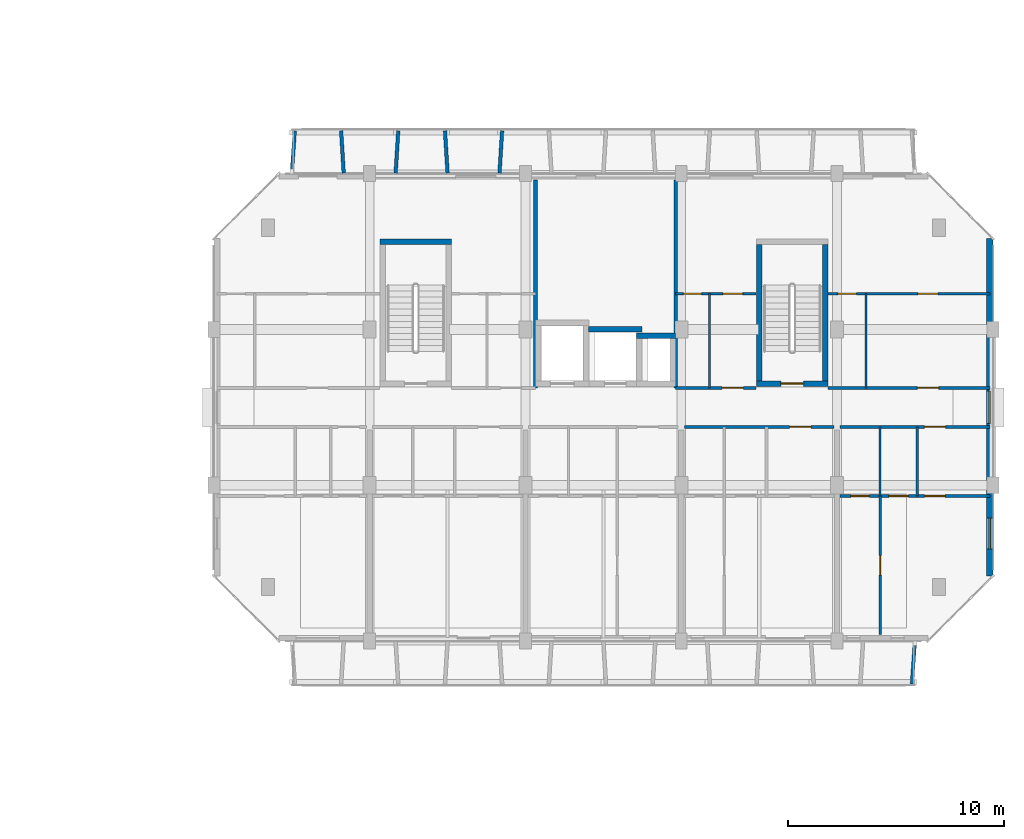
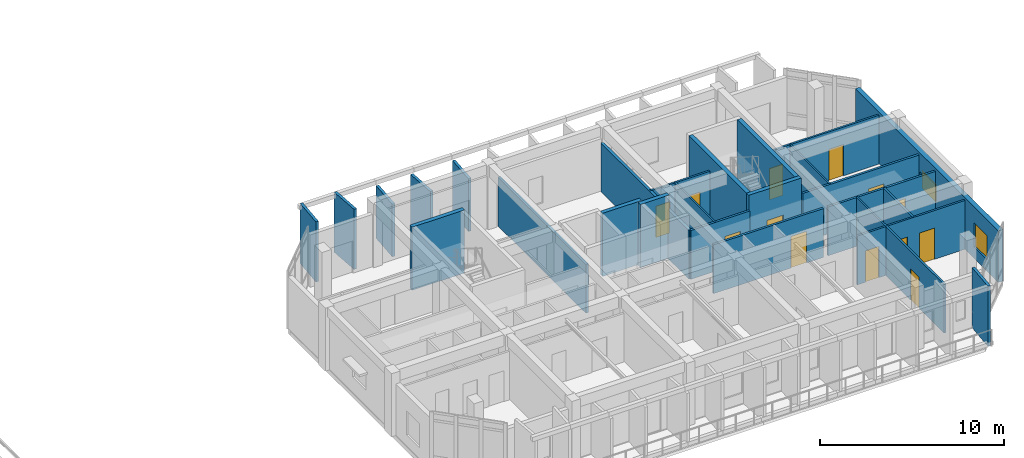
# One storey, part 58 of 85: 27 walls, 13 doors, 2 windows, 15 openings.
"""IFC4 building model written with IfcOpenShell, lengths in metres."""

from ifc_helpers import new_model, si_unit, direction, frame, frame_2d, origin, place, context, subcontext, project, spatial, rectangle, extrude, material, layer, layer_set, type_object, element, fill, save


model = new_model("IFC4")

# Units and contexts
model_context = context("Model", 3, precision=1e-05, world=origin(), true_north=direction((0.0, 1.0)))
body_context = subcontext(model_context, "Body", "Model", "MODEL_VIEW")
ifc_project = project(units=[si_unit("LENGTHUNIT", "METRE"), si_unit("AREAUNIT", "SQUARE_METRE"), si_unit("VOLUMEUNIT", "CUBIC_METRE"), si_unit("PLANEANGLEUNIT", "RADIAN"), si_unit("MASSUNIT", "GRAM", prefix="KILO")], contexts=[model_context])

# Site, building, storey
site_placement = place(None, origin())
site = spatial("IfcSite", under=ifc_project, at=site_placement, CompositionType="ELEMENT")
building_placement = place(site_placement, origin())
building = spatial("IfcBuilding", under=site, at=building_placement, Name="Ochrevale Crest", CompositionType="ELEMENT")
storey_placement = place(building_placement, frame((0.0, 0.0, 4.5)))
storey = spatial("IfcBuildingStorey", under=building, at=storey_placement, Name="L01", CompositionType="ELEMENT", Elevation=4.5)

# Wall, opening, door
ifc_material_1 = material(Name="Gypsum plasterboard", Category="gypsum")
ifc_layer_1 = layer(ifc_material_1, 0.139892578125)
ifc_layer_set_1 = layer_set([ifc_layer_1], Name="Gypsum plasterboard")
wall_type_1 = type_object("IfcWallType", Name="WL-COR-140", PredefinedType="PARTITIONING", material=ifc_layer_set_1)
wall_1_placement = place(storey_placement, frame((151.340087890625, 24.300048828125, 0.0), z_axis=(0.0, 0.0, 1.0), x_axis=(1.0, 0.0, 0.0)))
wall_1 = element("IfcWall", 1, at=wall_1_placement, inside=storey, type_object=wall_type_1, Name="Apartment C-L01-U4 corridor wall", PredefinedType="PARTITIONING", context=body_context, shape_type="SweptSolid", body=[
    extrude(rectangle(XDim=6.919921875, YDim=0.139892578125, at=frame_2d((3.4599609375, 0.0))), origin(), (0.0, 0.0, 1.0), 3.25),
])
opening_1_placement = place(wall_1_placement, frame((5.85009765625, 0.0, 0.0), z_axis=(0.0, 0.0, 1.0), x_axis=(-1.0, 0.0, 0.0)))
opening_1 = element("IfcOpeningElement", 2, at=opening_1_placement, cuts=wall_1, Name="Opening FD01", PredefinedType="OPENING", context=body_context, shape_type="SweptSolid", body=[
    extrude(rectangle(XDim=0.97998046875, YDim=2.10009765625, at=frame_2d((0.489990234375, 1.050048828125))), frame((0.0, 0.080078125, 0.0), z_axis=(0.0, -1.0, 0.0), x_axis=(1.0, 0.0, 0.0)), (0.0, 0.0, 1.0), 0.159912109375),
])
ifc_material_2 = material(Name="Solid-core FSC hardwood", Category="wood")
door_type_1 = type_object("IfcDoorType", Name="DR-APT-950", OperationType="NOTDEFINED", PredefinedType="DOOR", material=ifc_material_2)
door_1_placement = place(opening_1_placement, origin())
door_1 = element("IfcDoor", 3, at=door_1_placement, inside=storey, type_object=door_type_1, Name="Apartment C-L01-U4 entrance door", OperationType="SINGLE_SWING_RIGHT", OverallHeight=2.10009765625, OverallWidth=0.97998046875, PredefinedType="DOOR", context=body_context, shape_type="SweptSolid", body=[
    extrude(rectangle(XDim=0.97998046875, YDim=2.10009765625, at=frame_2d((0.489990234375, 1.050048828125))), frame((0.0, 0.02490234375, 0.0), z_axis=(0.0, -1.0, 0.0), x_axis=(1.0, 0.0, 0.0)), (0.0, 0.0, 1.0), 0.050048828125),
])
fill(opening_1, door_1)

wall_2_placement = place(storey_placement, frame((158.5400390625, 24.300048828125, 0.0), z_axis=(0.0, 0.0, 1.0), x_axis=(1.0, 0.0, 0.0)))
wall_2 = element("IfcWall", 4, at=wall_2_placement, inside=storey, type_object=wall_type_1, Name="Apartment C-L01-U5 corridor wall", PredefinedType="PARTITIONING", context=body_context, shape_type="SweptSolid", body=[
    extrude(rectangle(XDim=6.919921875, YDim=0.139892578125, at=frame_2d((3.4599609375, 0.0))), origin(), (0.0, 0.0, 1.0), 3.25),
])
opening_2_placement = place(wall_2_placement, frame((3.89501953125, 0.0, 0.0)))
opening_2 = element("IfcOpeningElement", 5, at=opening_2_placement, cuts=wall_2, Name="Opening FD01", PredefinedType="OPENING", context=body_context, shape_type="SweptSolid", body=[
    extrude(rectangle(XDim=0.97998046875, YDim=2.10009765625, at=frame_2d((0.489990234375, 1.050048828125))), frame((0.0, 0.080078125, 0.0), z_axis=(0.0, -1.0, 0.0), x_axis=(1.0, 0.0, 0.0)), (0.0, 0.0, 1.0), 0.159912109375),
])
door_2_placement = place(opening_2_placement, origin())
door_2 = element("IfcDoor", 6, at=door_2_placement, inside=storey, type_object=door_type_1, Name="Apartment C-L01-U5 entrance door", OperationType="SINGLE_SWING_LEFT", OverallHeight=2.10009765625, OverallWidth=0.97998046875, PredefinedType="DOOR", context=body_context, shape_type="SweptSolid", body=[
    extrude(rectangle(XDim=0.97998046875, YDim=2.10009765625, at=frame_2d((0.489990234375, 1.050048828125))), frame((0.0, 0.02490234375, 0.0), z_axis=(0.0, -1.0, 0.0), x_axis=(1.0, 0.0, 0.0)), (0.0, 0.0, 1.0), 0.050048828125),
])
fill(opening_2, door_2)

wall_3_placement = place(storey_placement, frame((150.93994140625, 26.10009765625, 0.0), z_axis=(0.0, 0.0, 1.0), x_axis=(1.0, 0.0, 0.0)))
wall_3 = element("IfcWall", 7, at=wall_3_placement, inside=storey, type_object=wall_type_1, Name="Suite C-L01-ME corridor wall", PredefinedType="PARTITIONING", context=body_context, shape_type="SweptSolid", body=[
    extrude(rectangle(XDim=3.719970703125, YDim=0.139892578125, at=frame_2d((1.85986328125, 0.0))), origin(), (0.0, 0.0, 1.0), 3.25),
])
opening_3_placement = place(wall_3_placement, frame((3.131103515625, 0.0, 0.0), z_axis=(0.0, 0.0, 1.0), x_axis=(-1.0, 0.0, 0.0)))
opening_3 = element("IfcOpeningElement", 8, at=opening_3_placement, cuts=wall_3, Name="Opening FD01", PredefinedType="OPENING", context=body_context, shape_type="SweptSolid", body=[
    extrude(rectangle(XDim=0.97998046875, YDim=2.10009765625, at=frame_2d((0.489990234375, 1.050048828125))), frame((0.0, 0.080078125, 0.0), z_axis=(0.0, -1.0, 0.0), x_axis=(1.0, 0.0, 0.0)), (0.0, 0.0, 1.0), 0.159912109375),
])
door_3_placement = place(opening_3_placement, origin())
door_3 = element("IfcDoor", 9, at=door_3_placement, inside=storey, type_object=door_type_1, Name="Suite C-L01-ME entrance door", OperationType="SINGLE_SWING_RIGHT", OverallHeight=2.10009765625, OverallWidth=0.97998046875, PredefinedType="DOOR", context=body_context, shape_type="SweptSolid", body=[
    extrude(rectangle(XDim=0.97998046875, YDim=2.10009765625, at=frame_2d((0.489990234375, 1.050048828125))), frame((0.0, 0.02490234375, 0.0), z_axis=(0.0, -1.0, 0.0), x_axis=(1.0, 0.0, 0.0)), (0.0, 0.0, 1.0), 0.050048828125),
])
fill(opening_3, door_3)

wall_4_placement = place(storey_placement, frame((157.989990234375, 26.10009765625, 0.0), z_axis=(0.0, 0.0, 1.0), x_axis=(1.0, 0.0, 0.0)))
wall_4 = element("IfcWall", 10, at=wall_4_placement, inside=storey, type_object=wall_type_1, Name="Suite C-L01-CE corridor wall", PredefinedType="PARTITIONING", context=body_context, shape_type="SweptSolid", body=[
    extrude(rectangle(XDim=7.469970703125, YDim=0.139892578125, at=frame_2d((3.73486328125, 0.0))), origin(), (0.0, 0.0, 1.0), 3.25),
])
opening_4_placement = place(wall_4_placement, frame((4.1201171875, 0.0, 0.0)))
opening_4 = element("IfcOpeningElement", 11, at=opening_4_placement, cuts=wall_4, Name="Opening FD01", PredefinedType="OPENING", context=body_context, shape_type="SweptSolid", body=[
    extrude(rectangle(XDim=0.97998046875, YDim=2.10009765625, at=frame_2d((0.489990234375, 1.050048828125))), frame((0.0, 0.080078125, 0.0), z_axis=(0.0, -1.0, 0.0), x_axis=(1.0, 0.0, 0.0)), (0.0, 0.0, 1.0), 0.159912109375),
])
door_4_placement = place(opening_4_placement, origin())
door_4 = element("IfcDoor", 12, at=door_4_placement, inside=storey, type_object=door_type_1, Name="Suite C-L01-CE entrance door", OperationType="SINGLE_SWING_LEFT", OverallHeight=2.10009765625, OverallWidth=0.97998046875, PredefinedType="DOOR", context=body_context, shape_type="SweptSolid", body=[
    extrude(rectangle(XDim=0.97998046875, YDim=2.10009765625, at=frame_2d((0.489990234375, 1.050048828125))), frame((0.0, 0.02490234375, 0.0), z_axis=(0.0, -1.0, 0.0), x_axis=(1.0, 0.0, 0.0)), (0.0, 0.0, 1.0), 0.050048828125),
])
fill(opening_4, door_4)

# Wall
ifc_material_3 = material(Name="Precast concrete C50/60", Category="concrete")
ifc_layer_2 = layer(ifc_material_3, 0.2548828125)
ifc_layer_set_2 = layer_set([ifc_layer_2], Name="Precast concrete C50/60")
wall_type_2 = type_object("IfcWallType", Name="WL-CORE-255", PredefinedType="SHEAR", material=ifc_layer_set_2)
wall_5_placement = place(storey_placement, frame((137.2724609375, 32.85009765625, 0.0), z_axis=(0.0, 0.0, 1.0), x_axis=(1.0, 0.0, 0.0)))
element("IfcWall", 13, at=wall_5_placement, inside=storey, type_object=wall_type_2, Name="Block C L01 Stair 1 precast core shear wall N", PredefinedType="SHEAR", context=body_context, shape_type="SweptSolid", body=[
    extrude(rectangle(XDim=3.304931640625, YDim=0.2548828125, at=frame_2d((1.65234375, 0.0))), origin(), (0.0, 0.0, 1.0), 4.199951171875),
])

# Wall, opening, door
wall_6_placement = place(storey_placement, frame((154.672607421875, 26.300048828125, 0.0), z_axis=(0.0, 0.0, 1.0), x_axis=(1.0, 0.0, 0.0)))
wall_6 = element("IfcWall", 14, at=wall_6_placement, inside=storey, type_object=wall_type_2, Name="Block C L01 Stair 2 precast core shear wall S", PredefinedType="SHEAR", context=body_context, shape_type="SweptSolid", body=[
    extrude(rectangle(XDim=3.304931640625, YDim=0.2548828125, at=frame_2d((1.65234375, 0.0))), origin(), (0.0, 0.0, 1.0), 4.199951171875),
])
opening_5_placement = place(wall_6_placement, frame((1.12744140625, 0.0, 0.0)))
opening_5 = element("IfcOpeningElement", 15, at=opening_5_placement, cuts=wall_6, Name="Opening FD03", PredefinedType="OPENING", context=body_context, shape_type="SweptSolid", body=[
    extrude(rectangle(XDim=1.050048828125, YDim=2.1201171875, at=frame_2d((0.52490234375, 1.06005859375))), frame((0.0, 0.137451171875, 0.0), z_axis=(0.0, -1.0, 0.0), x_axis=(1.0, 0.0, 0.0)), (0.0, 0.0, 1.0), 0.27490234375),
])
door_type_2 = type_object("IfcDoorType", Name="DR-ST-1050", OperationType="NOTDEFINED", PredefinedType="DOOR", material=ifc_material_2)
door_5_placement = place(opening_5_placement, origin())
door_5 = element("IfcDoor", 16, at=door_5_placement, inside=storey, type_object=door_type_2, Name="Block C L01 fire stair 2 door", OperationType="SINGLE_SWING_LEFT", OverallHeight=2.1201171875, OverallWidth=1.050048828125, PredefinedType="DOOR", context=body_context, shape_type="SweptSolid", body=[
    extrude(rectangle(XDim=1.050048828125, YDim=2.1201171875, at=frame_2d((0.52490234375, 1.06005859375))), frame((0.0, 0.02490234375, 0.0), z_axis=(0.0, -1.0, 0.0), x_axis=(1.0, 0.0, 0.0)), (0.0, 0.0, 1.0), 0.050048828125),
])
fill(opening_5, door_5)

# Walls
for number, where, z_axis, x_axis, name in (
    (17, (154.800048828125, 26.427490234375, 0.0), (0.0, 0.0, 1.0), (0.0, 1.0, 0.0), "Block C L01 Stair 2 precast core shear wall W"),
    (18, (157.85009765625, 26.427490234375, 0.0), (0.0, 0.0, 1.0), (0.0, 1.0, 0.0), "Block C L01 Stair 2 precast core shear wall E"),
):
    element("IfcWall", number, at=place(storey_placement, frame(where, z_axis=z_axis, x_axis=x_axis)), inside=storey, type_object=wall_type_2, Name=name, PredefinedType="SHEAR", context=body_context, shape_type="SweptSolid", body=[
        extrude(rectangle(XDim=6.294921875, YDim=0.2548828125, at=frame_2d((3.1474609375, 0.0))), origin(), (0.0, 0.0, 1.0), 4.199951171875),
    ])
wall_7_placement = place(storey_placement, frame((146.922607421875, 28.800048828125, 0.0), z_axis=(0.0, 0.0, 1.0), x_axis=(1.0, 0.0, 0.0)))
element("IfcWall", 19, at=wall_7_placement, inside=storey, type_object=wall_type_2, Name="Block C L01 Lift 2 precast shaft shear wall N", PredefinedType="SHEAR", context=body_context, shape_type="SweptSolid", body=[
    extrude(rectangle(XDim=2.454833984375, YDim=0.2548828125, at=frame_2d((1.2275390625, 0.0))), origin(), (0.0, 0.0, 1.0), 4.199951171875),
])
wall_8_placement = place(storey_placement, frame((149.12255859375, 28.5, 0.0), z_axis=(0.0, 0.0, 1.0), x_axis=(1.0, 0.0, 0.0)))
element("IfcWall", 20, at=wall_8_placement, inside=storey, type_object=wall_type_2, Name="Block C L01 services riser shaft core wall N", PredefinedType="SHEAR", context=body_context, shape_type="SweptSolid", body=[
    extrude(rectangle(XDim=1.804931640625, YDim=0.2548828125, at=frame_2d((0.90234375, 0.0))), origin(), (0.0, 0.0, 1.0), 4.199951171875),
])

# Wall, openings, windows
ifc_material_4 = material(Name="Clay face brickwork", Category="masonry")
ifc_layer_3 = layer(ifc_material_4, 0.2900390625)
ifc_layer_set_3 = layer_set([ifc_layer_3], Name="Clay face brickwork")
wall_type_3 = type_object("IfcWallType", Name="WL-EXT-BRICK-290", PredefinedType="SOLIDWALL", material=ifc_layer_set_3)
wall_9_placement = place(storey_placement, frame((165.455078125, 17.39990234375, 0.0), z_axis=(0.0, 0.0, 1.0), x_axis=(0.0, 1.0, 0.0)))
wall_9 = element("IfcWall", 21, at=wall_9_placement, inside=storey, type_object=wall_type_3, Name="Block C L01 external facade wall E3", PredefinedType="SOLIDWALL", context=body_context, shape_type="SweptSolid", body=[
    extrude(rectangle(XDim=15.60009765625, YDim=0.2900390625, at=frame_2d((7.800048828125, 0.0))), origin(), (0.0, 0.0, 1.0), 3.429931640625),
])
opening_6_placement = place(wall_9_placement, frame((7.050048828125, 0.0, 1.050048828125)))
opening_6 = element("IfcOpeningElement", 22, at=opening_6_placement, cuts=wall_9, Name="Opening W18", PredefinedType="OPENING", context=body_context, shape_type="SweptSolid", body=[
    extrude(rectangle(XDim=1.5, YDim=1.14990234375, at=frame_2d((0.75, 0.574951171875))), frame((0.0, 0.155029296875, 0.0), z_axis=(0.0, -1.0, 0.0), x_axis=(1.0, 0.0, 0.0)), (0.0, 0.0, 1.0), 0.31005859375),
])
opening_7_placement = place(wall_9_placement, frame((1.2548828125, 0.0, 0.75)))
opening_7 = element("IfcOpeningElement", 23, at=opening_7_placement, cuts=wall_9, Name="Opening W31", PredefinedType="OPENING", context=body_context, shape_type="SweptSolid", body=[
    extrude(rectangle(XDim=1.419921875, YDim=1.60009765625, at=frame_2d((0.7099609375, 0.800048828125))), frame((0.0, 0.155029296875, 0.0), z_axis=(0.0, -1.0, 0.0), x_axis=(1.0, 0.0, 0.0)), (0.0, 0.0, 1.0), 0.31005859375),
])
ifc_material_5 = material(Name="Anodised aluminium 6063-T5 and low-E double glazing", Category="aluminium")
window_type_1 = type_object("IfcWindowType", Name="WIN-W18", PartitioningType="SINGLE_PANEL", PredefinedType="WINDOW", material=ifc_material_5)
window_1_placement = place(opening_6_placement, origin())
window_1 = element("IfcWindow", 24, at=window_1_placement, inside=storey, type_object=window_type_1, Name="Block C L01 corridor end daylight window E", OverallHeight=1.14990234375, OverallWidth=1.5, PartitioningType="SINGLE_PANEL", PredefinedType="WINDOW", context=body_context, shape_type="SweptSolid", body=[
    extrude(rectangle(XDim=1.5, YDim=1.14990234375, at=frame_2d((0.75, 0.574951171875))), frame((0.0, 0.030029296875, 0.0), z_axis=(0.0, -1.0, 0.0), x_axis=(1.0, 0.0, 0.0)), (0.0, 0.0, 1.0), 0.06005859375),
])
fill(opening_6, window_1)
window_type_2 = type_object("IfcWindowType", Name="WIN-W31", PartitioningType="SINGLE_PANEL", PredefinedType="WINDOW", material=ifc_material_5)
window_2_placement = place(opening_7_placement, origin())
window_2 = element("IfcWindow", 25, at=window_2_placement, inside=storey, type_object=window_type_2, Name="Block C L01 side suite window E", OverallHeight=1.60009765625, OverallWidth=1.419921875, PartitioningType="SINGLE_PANEL", PredefinedType="WINDOW", context=body_context, shape_type="SweptSolid", body=[
    extrude(rectangle(XDim=1.419921875, YDim=1.60009765625, at=frame_2d((0.7099609375, 0.800048828125))), frame((0.0, 0.030029296875, 0.0), z_axis=(0.0, -1.0, 0.0), x_axis=(1.0, 0.0, 0.0)), (0.0, 0.0, 1.0), 0.06005859375),
])
fill(opening_7, window_2)

# Walls
ifc_material_6 = material(Name="Precast concrete C40/50", Category="concrete")
ifc_layer_4 = layer(ifc_material_6, 0.1650390625)
ifc_layer_set_4 = layer_set([ifc_layer_4], Name="Precast concrete C40/50")
wall_type_4 = type_object("IfcWallType", Name="WL-HC-CHEEK-165", PredefinedType="ELEMENTEDWALL", material=ifc_layer_set_4)
for number, where, z_axis, x_axis, name in (
    (26, (162.0, 14.3798828125, 0.0), (0.0, 0.0, 1.0), (-0.071194071069, -0.997462482625, 0.0), "Block C L01 S precast honeycomb cheek 13"),
    (27, (133.199951171875, 36.02001953125, 0.0), (0.0, 0.0, 1.0), (0.071317687608, 0.997453651772, 0.0), "Block C L01 N precast honeycomb cheek 1"),
):
    element("IfcWall", number, at=place(storey_placement, frame(where, z_axis=z_axis, x_axis=x_axis)), inside=storey, type_object=wall_type_4, Name=name, PredefinedType="ELEMENTEDWALL", context=body_context, shape_type="SweptSolid", body=[
        extrude(rectangle(XDim=1.96484375, YDim=0.1650390625, at=frame_2d((0.982421875, 0.0))), origin(), (0.0, 0.0, 1.0), 4.0),
    ])
wall_10_placement = place(storey_placement, frame((135.60009765625, 36.02001953125, 0.0), z_axis=(0.0, 0.0, 1.0), x_axis=(-0.061170732449, 0.998127317276, 0.0)))
element("IfcWall", 28, at=wall_10_placement, inside=storey, type_object=wall_type_4, Name="Block C L01 N precast honeycomb cheek 2", PredefinedType="ELEMENTEDWALL", context=body_context, shape_type="SweptSolid", body=[
    extrude(rectangle(XDim=1.963623046875, YDim=0.1650390625, at=frame_2d((0.98193359375, 0.0))), origin(), (0.0, 0.0, 1.0), 4.0),
])
for number, where, z_axis, x_axis, name in (
    (29, (138.0, 36.02001953125, 0.0), (0.0, 0.0, 1.0), (0.061170732449, 0.998127317276, 0.0), "Block C L01 N precast honeycomb cheek 3"),
    (30, (140.39990234375, 36.02001953125, 0.0), (0.0, 0.0, 1.0), (-0.061046865508, 0.998134900808, 0.0), "Block C L01 N precast honeycomb cheek 4"),
    (31, (142.800048828125, 36.02001953125, 0.0), (0.0, 0.0, 1.0), (0.061046865508, 0.998134900808, 0.0), "Block C L01 N precast honeycomb cheek 5"),
):
    element("IfcWall", number, at=place(storey_placement, frame(where, z_axis=z_axis, x_axis=x_axis)), inside=storey, type_object=wall_type_4, Name=name, PredefinedType="ELEMENTEDWALL", context=body_context, shape_type="SweptSolid", body=[
        extrude(rectangle(XDim=1.963623046875, YDim=0.1650390625, at=frame_2d((0.98193359375, 0.0))), origin(), (0.0, 0.0, 1.0), 3.5),
    ])
ifc_layer_5 = layer(ifc_material_1, 0.1201171875)
ifc_layer_set_5 = layer_set([ifc_layer_5], Name="Gypsum plasterboard")
wall_type_5 = type_object("IfcWallType", Name="WL-PART-120", PredefinedType="PARTITIONING", material=ifc_layer_set_5)
wall_11_placement = place(storey_placement, frame((162.10009765625, 21.10009765625, 0.0), z_axis=(0.0, 0.0, 1.0), x_axis=(0.0, 1.0, 0.0)))
element("IfcWall", 32, at=wall_11_placement, inside=storey, type_object=wall_type_5, Name="Apartment C-L01-U5 kitchen-foyer wall", PredefinedType="PARTITIONING", context=body_context, shape_type="SweptSolid", body=[
    extrude(rectangle(XDim=3.199951171875, YDim=0.1201171875, at=frame_2d((1.60009765625, 0.0))), origin(), (0.0, 0.0, 1.0), 3.25),
])

# Wall, openings, doors
wall_12_placement = place(storey_placement, frame((158.5400390625, 21.10009765625, 0.0), z_axis=(0.0, 0.0, 1.0), x_axis=(1.0, 0.0, 0.0)))
wall_12 = element("IfcWall", 33, at=wall_12_placement, inside=storey, type_object=wall_type_5, Name="Apartment C-L01-U5 central partition", PredefinedType="PARTITIONING", context=body_context, shape_type="SweptSolid", body=[
    extrude(rectangle(XDim=6.919921875, YDim=0.1201171875, at=frame_2d((3.4599609375, 0.0))), origin(), (0.0, 0.0, 1.0), 3.25),
])
opening_8_placement = place(wall_12_placement, frame((1.35009765625, 0.0, 0.0), z_axis=(0.0, 0.0, 1.0), x_axis=(-1.0, 0.0, 0.0)))
opening_8 = element("IfcOpeningElement", 34, at=opening_8_placement, cuts=wall_12, Name="Opening ID01", PredefinedType="OPENING", context=body_context, shape_type="SweptSolid", body=[
    extrude(rectangle(XDim=0.85009765625, YDim=2.080078125, at=frame_2d((0.425048828125, 1.0400390625))), frame((0.0, 0.070068359375, 0.0), z_axis=(0.0, -1.0, 0.0), x_axis=(1.0, 0.0, 0.0)), (0.0, 0.0, 1.0), 0.14013671875),
])
opening_9_placement = place(wall_12_placement, frame((2.2548828125, 0.0, 0.0)))
opening_9 = element("IfcOpeningElement", 35, at=opening_9_placement, cuts=wall_12, Name="Opening ID02", PredefinedType="OPENING", context=body_context, shape_type="SweptSolid", body=[
    extrude(rectangle(XDim=0.89990234375, YDim=2.080078125, at=frame_2d((0.449951171875, 1.0400390625))), frame((0.0, 0.070068359375, 0.0), z_axis=(0.0, -1.0, 0.0), x_axis=(1.0, 0.0, 0.0)), (0.0, 0.0, 1.0), 0.14013671875),
])
opening_10_placement = place(wall_12_placement, frame((4.85986328125, 0.0, 0.0), z_axis=(0.0, 0.0, 1.0), x_axis=(-1.0, 0.0, 0.0)))
opening_10 = element("IfcOpeningElement", 36, at=opening_10_placement, cuts=wall_12, Name="Opening ID06", PredefinedType="OPENING", context=body_context, shape_type="SweptSolid", body=[
    extrude(rectangle(XDim=0.949951171875, YDim=2.080078125, at=frame_2d((0.47509765625, 1.0400390625))), frame((0.0, 0.070068359375, 0.0), z_axis=(0.0, -1.0, 0.0), x_axis=(1.0, 0.0, 0.0)), (0.0, 0.0, 1.0), 0.14013671875),
])
door_type_3 = type_object("IfcDoorType", Name="DR-INT-900", OperationType="NOTDEFINED", PredefinedType="DOOR", material=ifc_material_2)
door_6_placement = place(opening_9_placement, origin())
door_6 = element("IfcDoor", 37, at=door_6_placement, inside=storey, type_object=door_type_3, Name="Apartment C-L01-U5 Kitchen door", OperationType="SINGLE_SWING_LEFT", OverallHeight=2.080078125, OverallWidth=0.89990234375, PredefinedType="DOOR", context=body_context, shape_type="SweptSolid", body=[
    extrude(rectangle(XDim=0.89990234375, YDim=2.080078125, at=frame_2d((0.449951171875, 1.0400390625))), frame((0.0, 0.02490234375, 0.0), z_axis=(0.0, -1.0, 0.0), x_axis=(1.0, 0.0, 0.0)), (0.0, 0.0, 1.0), 0.050048828125),
])
fill(opening_9, door_6)
door_type_4 = type_object("IfcDoorType", Name="DR-INT-950", OperationType="NOTDEFINED", PredefinedType="DOOR", material=ifc_material_2)
door_7_placement = place(opening_10_placement, origin())
door_7 = element("IfcDoor", 38, at=door_7_placement, inside=storey, type_object=door_type_4, Name="Apartment C-L01-U5 Living Foyer door", OperationType="SINGLE_SWING_RIGHT", OverallHeight=2.080078125, OverallWidth=0.949951171875, PredefinedType="DOOR", context=body_context, shape_type="SweptSolid", body=[
    extrude(rectangle(XDim=0.949951171875, YDim=2.080078125, at=frame_2d((0.47509765625, 1.0400390625))), frame((0.0, 0.02490234375, 0.0), z_axis=(0.0, -1.0, 0.0), x_axis=(1.0, 0.0, 0.0)), (0.0, 0.0, 1.0), 0.050048828125),
])
fill(opening_10, door_7)
door_type_5 = type_object("IfcDoorType", Name="DR-WC-850", OperationType="NOTDEFINED", PredefinedType="DOOR", material=ifc_material_2)
door_8_placement = place(opening_8_placement, origin())
door_8 = element("IfcDoor", 39, at=door_8_placement, inside=storey, type_object=door_type_5, Name="Apartment C-L01-U5 Bathroom door", OperationType="SINGLE_SWING_RIGHT", OverallHeight=2.080078125, OverallWidth=0.85009765625, PredefinedType="DOOR", context=body_context, shape_type="SweptSolid", body=[
    extrude(rectangle(XDim=0.85009765625, YDim=2.080078125, at=frame_2d((0.425048828125, 1.0400390625))), frame((0.0, 0.02490234375, 0.0), z_axis=(0.0, -1.0, 0.0), x_axis=(1.0, 0.0, 0.0)), (0.0, 0.0, 1.0), 0.050048828125),
])
fill(opening_8, door_8)

# Wall, opening, door
wall_13_placement = place(storey_placement, frame((160.389892578125, 14.699951171875, 0.0), z_axis=(0.0, 0.0, 1.0), x_axis=(0.0, 1.0, 0.0)))
wall_13 = element("IfcWall", 40, at=wall_13_placement, inside=storey, type_object=wall_type_5, Name="Apartment C-L01-U5 bedroom partition", PredefinedType="PARTITIONING", context=body_context, shape_type="SweptSolid", body=[
    extrude(rectangle(XDim=6.400146484375, YDim=0.1201171875, at=frame_2d((3.2001953125, 0.0))), origin(), (0.0, 0.0, 1.0), 3.25),
])
opening_11_placement = place(wall_13_placement, frame((2.75, 0.0, 0.0)))
opening_11 = element("IfcOpeningElement", 41, at=opening_11_placement, cuts=wall_13, Name="Opening ID02", PredefinedType="OPENING", context=body_context, shape_type="SweptSolid", body=[
    extrude(rectangle(XDim=0.89990234375, YDim=2.080078125, at=frame_2d((0.449951171875, 1.0400390625))), frame((0.0, 0.070068359375, 0.0), z_axis=(0.0, -1.0, 0.0), x_axis=(1.0, 0.0, 0.0)), (0.0, 0.0, 1.0), 0.14013671875),
])
door_9_placement = place(opening_11_placement, origin())
door_9 = element("IfcDoor", 42, at=door_9_placement, inside=storey, type_object=door_type_3, Name="Apartment C-L01-U5 Twin Bedroom door", OperationType="SINGLE_SWING_LEFT", OverallHeight=2.080078125, OverallWidth=0.89990234375, PredefinedType="DOOR", context=body_context, shape_type="SweptSolid", body=[
    extrude(rectangle(XDim=0.89990234375, YDim=2.080078125, at=frame_2d((0.449951171875, 1.0400390625))), frame((0.0, 0.02490234375, 0.0), z_axis=(0.0, -1.0, 0.0), x_axis=(1.0, 0.0, 0.0)), (0.0, 0.0, 1.0), 0.050048828125),
])
fill(opening_11, door_9)

# Wall, openings, doors
wall_14_placement = place(storey_placement, frame((150.93994140625, 30.449951171875, 0.0), z_axis=(0.0, 0.0, 1.0), x_axis=(1.0, 0.0, 0.0)))
wall_14 = element("IfcWall", 43, at=wall_14_placement, inside=storey, type_object=wall_type_5, Name="Suite C-L01-ME internal wall", PredefinedType="PARTITIONING", context=body_context, shape_type="SweptSolid", body=[
    extrude(rectangle(XDim=3.719970703125, YDim=0.1201171875, at=frame_2d((1.85986328125, 0.0))), origin(), (0.0, 0.0, 1.0), 3.25),
])
opening_12_placement = place(wall_14_placement, frame((0.356201171875, 0.0, 0.0)))
opening_12 = element("IfcOpeningElement", 44, at=opening_12_placement, cuts=wall_14, Name="Opening ID01", PredefinedType="OPENING", context=body_context, shape_type="SweptSolid", body=[
    extrude(rectangle(XDim=0.85009765625, YDim=2.080078125, at=frame_2d((0.425048828125, 1.0400390625))), frame((0.0, 0.070068359375, 0.0), z_axis=(0.0, -1.0, 0.0), x_axis=(1.0, 0.0, 0.0)), (0.0, 0.0, 1.0), 0.14013671875),
])
opening_13_placement = place(wall_14_placement, frame((3.10107421875, 0.0, 0.0), z_axis=(0.0, 0.0, 1.0), x_axis=(-1.0, 0.0, 0.0)))
opening_13 = element("IfcOpeningElement", 45, at=opening_13_placement, cuts=wall_14, Name="Opening ID04", PredefinedType="OPENING", context=body_context, shape_type="SweptSolid", body=[
    extrude(rectangle(XDim=0.919921875, YDim=2.080078125, at=frame_2d((0.4599609375, 1.0400390625))), frame((0.0, 0.070068359375, 0.0), z_axis=(0.0, -1.0, 0.0), x_axis=(1.0, 0.0, 0.0)), (0.0, 0.0, 1.0), 0.14013671875),
])
door_type_6 = type_object("IfcDoorType", Name="DR-INT-920", OperationType="NOTDEFINED", PredefinedType="DOOR", material=ifc_material_2)
door_10_placement = place(opening_13_placement, origin())
door_10 = element("IfcDoor", 46, at=door_10_placement, inside=storey, type_object=door_type_6, Name="Suite C-L01-ME Garden Alcove Studio door", OperationType="SINGLE_SWING_RIGHT", OverallHeight=2.080078125, OverallWidth=0.919921875, PredefinedType="DOOR", context=body_context, shape_type="SweptSolid", body=[
    extrude(rectangle(XDim=0.919921875, YDim=2.080078125, at=frame_2d((0.4599609375, 1.0400390625))), frame((0.0, 0.02490234375, 0.0), z_axis=(0.0, -1.0, 0.0), x_axis=(1.0, 0.0, 0.0)), (0.0, 0.0, 1.0), 0.050048828125),
])
fill(opening_13, door_10)
door_11_placement = place(opening_12_placement, origin())
door_11 = element("IfcDoor", 47, at=door_11_placement, inside=storey, type_object=door_type_5, Name="Suite C-L01-ME Bathroom door", OperationType="SINGLE_SWING_LEFT", OverallHeight=2.080078125, OverallWidth=0.85009765625, PredefinedType="DOOR", context=body_context, shape_type="SweptSolid", body=[
    extrude(rectangle(XDim=0.85009765625, YDim=2.080078125, at=frame_2d((0.425048828125, 1.0400390625))), frame((0.0, 0.02490234375, 0.0), z_axis=(0.0, -1.0, 0.0), x_axis=(1.0, 0.0, 0.0)), (0.0, 0.0, 1.0), 0.050048828125),
])
fill(opening_12, door_11)

wall_15_placement = place(storey_placement, frame((157.989990234375, 30.449951171875, 0.0), z_axis=(0.0, 0.0, 1.0), x_axis=(1.0, 0.0, 0.0)))
wall_15 = element("IfcWall", 48, at=wall_15_placement, inside=storey, type_object=wall_type_5, Name="Suite C-L01-CE internal wall", PredefinedType="PARTITIONING", context=body_context, shape_type="SweptSolid", body=[
    extrude(rectangle(XDim=7.469970703125, YDim=0.1201171875, at=frame_2d((3.73486328125, 0.0))), origin(), (0.0, 0.0, 1.0), 3.25),
])
opening_14_placement = place(wall_15_placement, frame((1.300048828125, 0.0, 0.0), z_axis=(0.0, 0.0, 1.0), x_axis=(-1.0, 0.0, 0.0)))
opening_14 = element("IfcOpeningElement", 49, at=opening_14_placement, cuts=wall_15, Name="Opening ID01", PredefinedType="OPENING", context=body_context, shape_type="SweptSolid", body=[
    extrude(rectangle(XDim=0.85009765625, YDim=2.080078125, at=frame_2d((0.425048828125, 1.0400390625))), frame((0.0, 0.070068359375, 0.0), z_axis=(0.0, -1.0, 0.0), x_axis=(1.0, 0.0, 0.0)), (0.0, 0.0, 1.0), 0.14013671875),
])
opening_15_placement = place(wall_15_placement, frame((4.14990234375, 0.0, 0.0)))
opening_15 = element("IfcOpeningElement", 50, at=opening_15_placement, cuts=wall_15, Name="Opening ID04", PredefinedType="OPENING", context=body_context, shape_type="SweptSolid", body=[
    extrude(rectangle(XDim=0.919921875, YDim=2.080078125, at=frame_2d((0.4599609375, 1.0400390625))), frame((0.0, 0.070068359375, 0.0), z_axis=(0.0, -1.0, 0.0), x_axis=(1.0, 0.0, 0.0)), (0.0, 0.0, 1.0), 0.14013671875),
])
door_12_placement = place(opening_15_placement, origin())
door_12 = element("IfcDoor", 51, at=door_12_placement, inside=storey, type_object=door_type_6, Name="Suite C-L01-CE Master Bedroom door", OperationType="SINGLE_SWING_LEFT", OverallHeight=2.080078125, OverallWidth=0.919921875, PredefinedType="DOOR", context=body_context, shape_type="SweptSolid", body=[
    extrude(rectangle(XDim=0.919921875, YDim=2.080078125, at=frame_2d((0.4599609375, 1.0400390625))), frame((0.0, 0.02490234375, 0.0), z_axis=(0.0, -1.0, 0.0), x_axis=(1.0, 0.0, 0.0)), (0.0, 0.0, 1.0), 0.050048828125),
])
fill(opening_15, door_12)
door_13_placement = place(opening_14_placement, origin())
door_13 = element("IfcDoor", 52, at=door_13_placement, inside=storey, type_object=door_type_5, Name="Suite C-L01-CE Bathroom door", OperationType="SINGLE_SWING_RIGHT", OverallHeight=2.080078125, OverallWidth=0.85009765625, PredefinedType="DOOR", context=body_context, shape_type="SweptSolid", body=[
    extrude(rectangle(XDim=0.85009765625, YDim=2.080078125, at=frame_2d((0.425048828125, 1.0400390625))), frame((0.0, 0.02490234375, 0.0), z_axis=(0.0, -1.0, 0.0), x_axis=(1.0, 0.0, 0.0)), (0.0, 0.0, 1.0), 0.050048828125),
])
fill(opening_14, door_13)

# Walls
ifc_layer_6 = layer(ifc_material_1, 0.169921875)
ifc_layer_set_6 = layer_set([ifc_layer_6], Name="Gypsum plasterboard")
wall_type_6 = type_object("IfcWallType", Name="WL-TEN-170", PredefinedType="PARTITIONING", material=ifc_layer_set_6)
for number, where, z_axis, x_axis, name in (
    (53, (144.4599609375, 26.10009765625, 0.0), (0.0, 0.0, 1.0), (0.0, 1.0, 0.0), "Suite C-L01-MW east party wall"),
    (54, (150.93994140625, 26.10009765625, 0.0), (0.0, 0.0, 1.0), (0.0, 1.0, 0.0), "Suite C-L01-ME west party wall"),
):
    element("IfcWall", number, at=place(storey_placement, frame(where, z_axis=z_axis, x_axis=x_axis)), inside=storey, type_object=wall_type_6, Name=name, PredefinedType="PARTITIONING", context=body_context, shape_type="SweptSolid", body=[
        extrude(rectangle(XDim=9.599853515625, YDim=0.169921875, at=frame_2d((4.7998046875, 0.0))), origin(), (0.0, 0.0, 1.0), 3.25),
    ])
ifc_layer_7 = layer(ifc_material_1, 0.10009765625)
ifc_layer_set_7 = layer_set([ifc_layer_7], Name="Gypsum plasterboard")
wall_type_7 = type_object("IfcWallType", Name="WL-WET-100", PredefinedType="PARTITIONING", material=ifc_layer_set_7)
wall_16_placement = place(storey_placement, frame((160.389892578125, 21.10009765625, 0.0), z_axis=(0.0, 0.0, 1.0), x_axis=(0.0, 1.0, 0.0)))
element("IfcWall", 55, at=wall_16_placement, inside=storey, type_object=wall_type_7, Name="Apartment C-L01-U5 bath-kitchen wall", PredefinedType="PARTITIONING", context=body_context, shape_type="SweptSolid", body=[
    extrude(rectangle(XDim=3.199951171875, YDim=0.10009765625, at=frame_2d((1.60009765625, 0.0))), origin(), (0.0, 0.0, 1.0), 3.25),
])
for number, where, z_axis, x_axis, name in (
    (56, (152.50244140625, 26.10009765625, 0.0), (0.0, 0.0, 1.0), (0.0, 1.0, 0.0), "Suite C-L01-ME bathroom divider"),
    (57, (159.739990234375, 26.10009765625, 0.0), (0.0, 0.0, 1.0), (0.0, 1.0, 0.0), "Suite C-L01-CE bathroom divider"),
):
    element("IfcWall", number, at=place(storey_placement, frame(where, z_axis=z_axis, x_axis=x_axis)), inside=storey, type_object=wall_type_7, Name=name, PredefinedType="PARTITIONING", context=body_context, shape_type="SweptSolid", body=[
        extrude(rectangle(XDim=4.349853515625, YDim=0.10009765625, at=frame_2d((2.1748046875, 0.0))), origin(), (0.0, 0.0, 1.0), 3.25),
    ])

save(model, "model.ifc")
